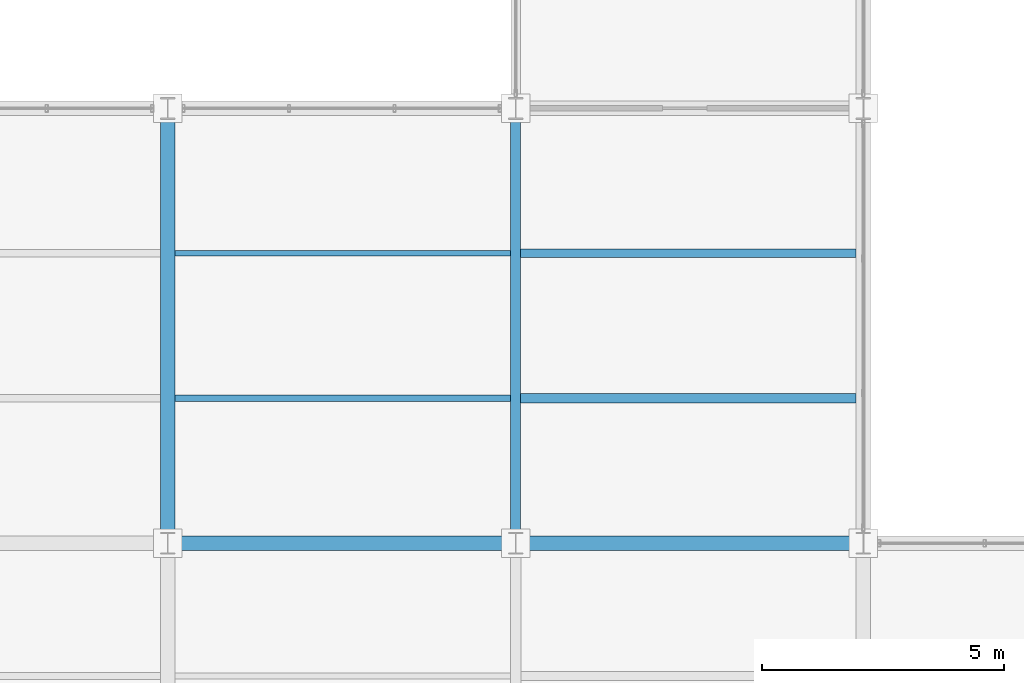
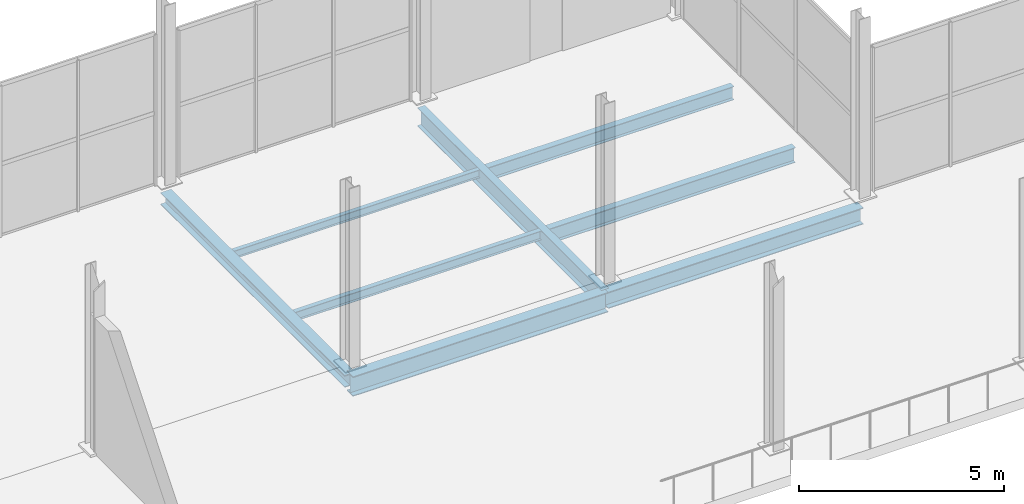
# One storey, part 86 of 147: 8 beams.
"""IFC4 building model written with IfcOpenShell, lengths in metres."""

from ifc_helpers import new_model, si_unit, direction, frame, origin, origin_2d, place, context, subcontext, project, spatial, i_section, extrude, material, material_profile, profile_set, type_object, element, save


model = new_model("IFC4")

# Units and contexts
model_context = context("Model", 3, precision=1e-05, world=origin(), true_north=direction((0.0, 1.0)))
body_context = subcontext(model_context, "Body", "Model", "MODEL_VIEW")
ifc_project = project(units=[si_unit("LENGTHUNIT", "METRE"), si_unit("AREAUNIT", "SQUARE_METRE"), si_unit("VOLUMEUNIT", "CUBIC_METRE"), si_unit("PLANEANGLEUNIT", "RADIAN"), si_unit("MASSUNIT", "GRAM", prefix="KILO")], contexts=[model_context])

# Site, building, storey
site_placement = place(None, origin())
site = spatial("IfcSite", under=ifc_project, at=site_placement, CompositionType="ELEMENT")
building_placement = place(site_placement, origin())
building = spatial("IfcBuilding", under=site, at=building_placement, Name="Sundgate Opera House", CompositionType="ELEMENT")
storey_placement = place(building_placement, frame((0.0, 0.0, 6.0)))
storey = spatial("IfcBuildingStorey", under=building, at=storey_placement, Name="L01", CompositionType="ELEMENT", Elevation=6.0)

# Beams
ifc_material_1 = material(Name="Steel S355J2", Category="steel")
ifc_material_profile_1 = material_profile(ifc_material_1, i_section(OverallWidth=0.300048828125, OverallDepth=0.489990234375, WebThickness=0.011962890625, FlangeThickness=0.02294921875, at=origin_2d()), Name="HEA 500")
ifc_profile_set_1 = profile_set([ifc_material_profile_1], Name="Steel S355J2")
beam_type_1 = type_object("IfcBeamType", Name="BM-GR-HEA500", PredefinedType="BEAM", material=ifc_profile_set_1)
beam_1_placement = place(storey_placement, frame((138.60009765625, 33.0, -0.544921875), z_axis=(1.0, 0.0, 0.0), x_axis=(0.0, 1.0, 0.0)))
element("IfcBeam", 1, at=beam_1_placement, inside=storey, type_object=beam_type_1, Name="L01 Primary E-W Girder B1323", PredefinedType="BEAM", context=body_context, shape_type="SweptSolid", body=[
    extrude(i_section(OverallWidth=0.300048828125, OverallDepth=0.489990234375, WebThickness=0.011962890625, FlangeThickness=0.02294921875, at=origin_2d()), origin(), (0.0, 0.0, 1.0), 7.199951171875),
])
ifc_material_2 = material(Name="Steel S355J2", Category="steel")
ifc_material_profile_2 = material_profile(ifc_material_2, i_section(OverallWidth=0.300048828125, OverallDepth=0.590087890625, WebThickness=0.012939453125, FlangeThickness=0.02490234375, at=origin_2d()), Name="HEA 600")
ifc_profile_set_2 = profile_set([ifc_material_profile_2], Name="Steel S355J2")
beam_type_2 = type_object("IfcBeamType", Name="BM-GR-HEA600", PredefinedType="BEAM", material=ifc_profile_set_2)
beam_2_placement = place(storey_placement, frame((131.39990234375, 33.0, -0.594970703125), z_axis=(1.0, 0.0, 0.0), x_axis=(0.0, 1.0, 0.0)))
element("IfcBeam", 2, at=beam_2_placement, inside=storey, type_object=beam_type_2, Name="L01 Primary E-W Girder B1322", PredefinedType="BEAM", context=body_context, shape_type="SweptSolid", body=[
    extrude(i_section(OverallWidth=0.300048828125, OverallDepth=0.590087890625, WebThickness=0.012939453125, FlangeThickness=0.02490234375, at=origin_2d()), origin(), (0.0, 0.0, 1.0), 7.2001953125),
])
ifc_material_3 = material(Name="Steel S355J2", Category="steel")
ifc_material_profile_3 = material_profile(ifc_material_3, i_section(OverallWidth=0.300048828125, OverallDepth=0.360107421875, WebThickness=0.012451171875, FlangeThickness=0.0224609375, at=origin_2d()), Name="HEB 360")
ifc_profile_set_3 = profile_set([ifc_material_profile_3], Name="Steel S355J2")
beam_type_3 = type_object("IfcBeamType", Name="BM-GR-HEB360", PredefinedType="BEAM", material=ifc_profile_set_3)
beam_3_placement = place(storey_placement, frame((131.39990234375, 33.0, -0.47998046875), z_axis=(0.0, 1.0, 0.0), x_axis=(-1.0, 0.0, 0.0)))
element("IfcBeam", 3, at=beam_3_placement, inside=storey, type_object=beam_type_3, Name="L01 Primary N-S Girder B1211", PredefinedType="BEAM", context=body_context, shape_type="SweptSolid", body=[
    extrude(i_section(OverallWidth=0.300048828125, OverallDepth=0.360107421875, WebThickness=0.012451171875, FlangeThickness=0.0224609375, at=origin_2d()), origin(), (0.0, 0.0, 1.0), 9.0),
])
ifc_material_4 = material(Name="Steel S355J2", Category="steel")
ifc_material_profile_4 = material_profile(ifc_material_4, i_section(OverallWidth=0.2099609375, OverallDepth=0.550048828125, WebThickness=0.010986328125, FlangeThickness=0.01708984375, at=origin_2d()), Name="IPE 550")
ifc_profile_set_4 = profile_set([ifc_material_profile_4], Name="Steel S355J2")
beam_type_4 = type_object("IfcBeamType", Name="BM-GR-IPE550", PredefinedType="BEAM", material=ifc_profile_set_4)
beam_4_placement = place(storey_placement, frame((138.60009765625, 33.0, -0.574951171875), z_axis=(0.0, 1.0, 0.0), x_axis=(-1.0, 0.0, 0.0)))
element("IfcBeam", 4, at=beam_4_placement, inside=storey, type_object=beam_type_4, Name="L01 Primary N-S Girder B1219", PredefinedType="BEAM", context=body_context, shape_type="SweptSolid", body=[
    extrude(i_section(OverallWidth=0.2099609375, OverallDepth=0.550048828125, WebThickness=0.010986328125, FlangeThickness=0.01708984375, at=origin_2d()), origin(), (0.0, 0.0, 1.0), 9.0),
])
ifc_material_5 = material(Name="Steel S355J2", Category="steel")
ifc_material_profile_5 = material_profile(ifc_material_5, i_section(OverallWidth=0.1201171875, OverallDepth=0.239990234375, WebThickness=0.006103515625, FlangeThickness=0.009765625, at=origin_2d()), Name="IPE 240")
ifc_profile_set_5 = profile_set([ifc_material_profile_5], Name="Steel S355J2")
beam_type_5 = type_object("IfcBeamType", Name="BM-JS-IPE240", PredefinedType="JOIST", material=ifc_profile_set_5)
beam_5_placement = place(storey_placement, frame((131.550048828125, 39.0, -0.419921875), z_axis=(1.0, 0.0, 0.0), x_axis=(0.0, 1.0, 0.0)))
element("IfcBeam", 5, at=beam_5_placement, inside=storey, type_object=beam_type_5, Name="L01 Secondary Floor Joist B1567", PredefinedType="JOIST", context=body_context, shape_type="SweptSolid", body=[
    extrude(i_section(OverallWidth=0.1201171875, OverallDepth=0.239990234375, WebThickness=0.006103515625, FlangeThickness=0.009765625, at=origin_2d()), origin(), (0.0, 0.0, 1.0), 6.945068359375),
])
ifc_material_6 = material(Name="Steel S355J2", Category="steel")
ifc_material_profile_6 = material_profile(ifc_material_6, i_section(OverallWidth=0.135009765625, OverallDepth=0.27001953125, WebThickness=0.006591796875, FlangeThickness=0.01025390625, at=origin_2d()), Name="IPE 270")
ifc_profile_set_6 = profile_set([ifc_material_profile_6], Name="Steel S355J2")
beam_type_6 = type_object("IfcBeamType", Name="BM-JS-IPE270", PredefinedType="JOIST", material=ifc_profile_set_6)
beam_6_placement = place(storey_placement, frame((131.550048828125, 36.0, -0.43505859375), z_axis=(1.0, 0.0, 0.0), x_axis=(0.0, 1.0, 0.0)))
element("IfcBeam", 6, at=beam_6_placement, inside=storey, type_object=beam_type_6, Name="L01 Secondary Floor Joist B1566", PredefinedType="JOIST", context=body_context, shape_type="SweptSolid", body=[
    extrude(i_section(OverallWidth=0.135009765625, OverallDepth=0.27001953125, WebThickness=0.006591796875, FlangeThickness=0.01025390625, at=origin_2d()), origin(), (0.0, 0.0, 1.0), 6.945068359375),
])
ifc_material_7 = material(Name="Steel S355J2", Category="steel")
ifc_material_profile_7 = material_profile(ifc_material_7, i_section(OverallWidth=0.179931640625, OverallDepth=0.39990234375, WebThickness=0.008544921875, FlangeThickness=0.013427734375, at=origin_2d()), Name="IPE 400")
ifc_profile_set_7 = profile_set([ifc_material_profile_7], Name="Steel S355J2")
beam_type_7 = type_object("IfcBeamType", Name="BM-JS-IPE400", PredefinedType="JOIST", material=ifc_profile_set_7)
beam_7_placement = place(storey_placement, frame((138.705078125, 39.0, -0.5), z_axis=(1.0, 0.0, 0.0), x_axis=(0.0, 1.0, 0.0)))
element("IfcBeam", 7, at=beam_7_placement, inside=storey, type_object=beam_type_7, Name="L01 Secondary Floor Joist B1569", PredefinedType="JOIST", context=body_context, shape_type="SweptSolid", body=[
    extrude(i_section(OverallWidth=0.179931640625, OverallDepth=0.39990234375, WebThickness=0.008544921875, FlangeThickness=0.013427734375, at=origin_2d()), origin(), (0.0, 0.0, 1.0), 6.94482421875),
])
ifc_material_8 = material(Name="Steel S355J2", Category="steel")
ifc_material_profile_8 = material_profile(ifc_material_8, i_section(OverallWidth=0.18994140625, OverallDepth=0.449951171875, WebThickness=0.009521484375, FlangeThickness=0.0146484375, at=origin_2d()), Name="IPE 450")
ifc_profile_set_8 = profile_set([ifc_material_profile_8], Name="Steel S355J2")
beam_type_8 = type_object("IfcBeamType", Name="BM-JS-IPE450", PredefinedType="JOIST", material=ifc_profile_set_8)
beam_8_placement = place(storey_placement, frame((138.705078125, 36.0, -0.52490234375), z_axis=(1.0, 0.0, 0.0), x_axis=(0.0, 1.0, 0.0)))
element("IfcBeam", 8, at=beam_8_placement, inside=storey, type_object=beam_type_8, Name="L01 Secondary Floor Joist B1568", PredefinedType="JOIST", context=body_context, shape_type="SweptSolid", body=[
    extrude(i_section(OverallWidth=0.18994140625, OverallDepth=0.449951171875, WebThickness=0.009521484375, FlangeThickness=0.0146484375, at=origin_2d()), origin(), (0.0, 0.0, 1.0), 6.94482421875),
])

save(model, "model.ifc")
